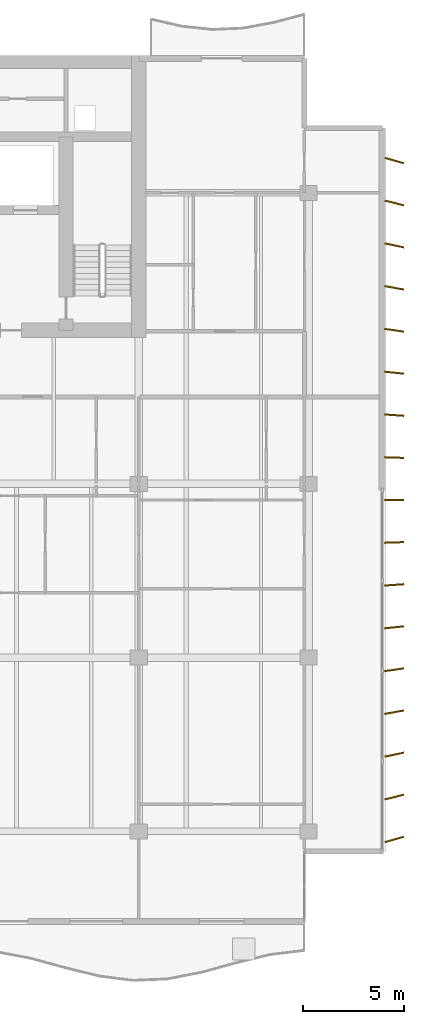
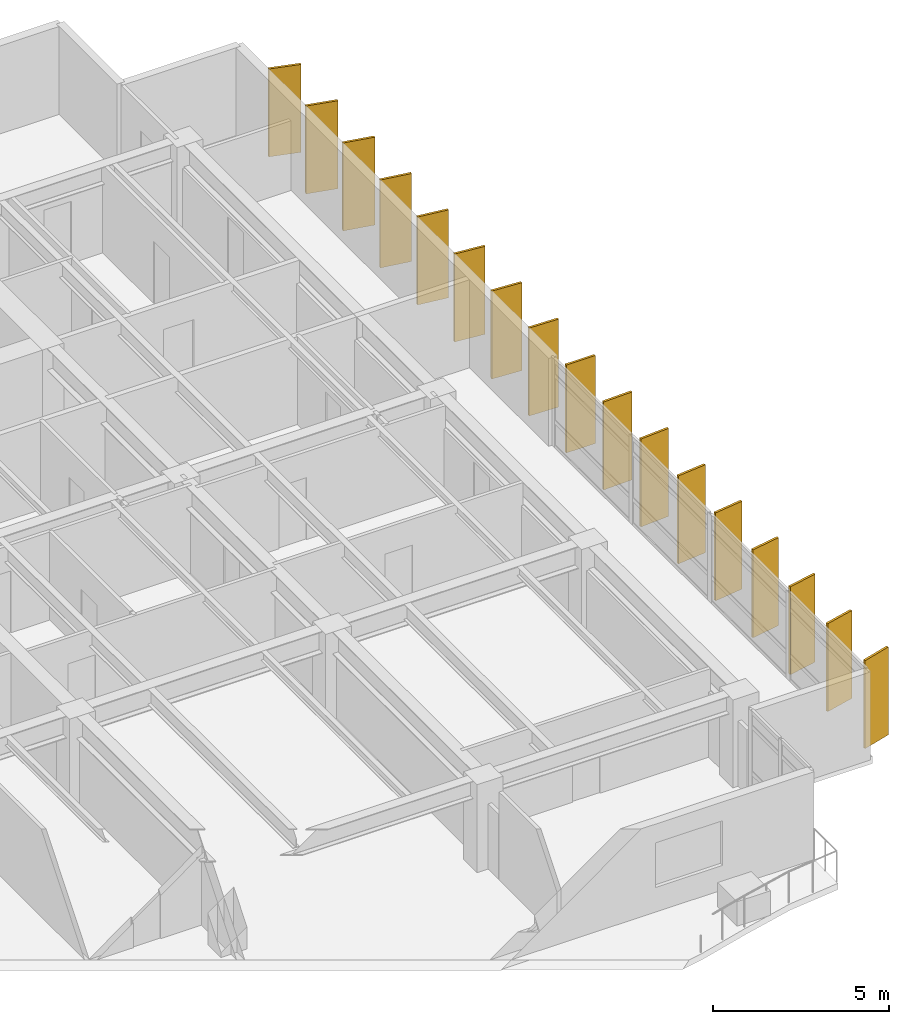
# One storey, part 19 of 19: 17 shading devices.
"""IFC4 building model written with IfcOpenShell, lengths in metres."""

from ifc_helpers import new_model, si_unit, direction, frame, origin, origin_2d, place, context, subcontext, project, spatial, rectangle, extrude, material, material_profile, profile_set, type_object, element, save


model = new_model("IFC4")

# Units and contexts
model_context = context("Model", 3, precision=1e-05, world=origin(), true_north=direction((0.0, 1.0)))
body_context = subcontext(model_context, "Body", "Model", "MODEL_VIEW")
ifc_project = project(units=[si_unit("LENGTHUNIT", "METRE"), si_unit("AREAUNIT", "SQUARE_METRE"), si_unit("VOLUMEUNIT", "CUBIC_METRE"), si_unit("PLANEANGLEUNIT", "RADIAN"), si_unit("MASSUNIT", "GRAM", prefix="KILO")], contexts=[model_context])

# Site, building, storey
site_placement = place(None, origin())
site = spatial("IfcSite", under=ifc_project, at=site_placement, CompositionType="ELEMENT")
building_placement = place(site_placement, origin())
building = spatial("IfcBuilding", under=site, at=building_placement, Name="Caelmar Bay Residences", CompositionType="ELEMENT")
storey_placement = place(building_placement, frame((0.0, 0.0, 167.10009765625)))
storey = spatial("IfcBuildingStorey", under=building, at=storey_placement, Name="L46", CompositionType="ELEMENT", Elevation=167.10009765625)

# Shading devices
ifc_material = material(Name="Anodised architectural bronze aluminium 6063-T6", Category="aluminium")
ifc_material_profile = material_profile(ifc_material, rectangle(XDim=0.074951171875, YDim=0.949951171875, at=origin_2d()), Name="BRONZE-FIN-75X950")
ifc_profile_set = profile_set([ifc_material_profile], Name="Anodised architectural bronze aluminium 6063-T6")
shading_device_type = type_object("IfcShadingDeviceType", Name="SHD-FIN-950", PredefinedType="USERDEFINED", material=ifc_profile_set)
for number, where, z_axis, x_axis, name in (
    (1, (72.14990234375, 11.800048828125, 0.0), (0.0, 0.0, 1.0), (-0.275637355817, 0.961261695938, 0.0), "L46 East Bronze Solar Fin 1"),
    (2, (72.14990234375, 13.89990234375, 0.0), (0.0, 0.0, 1.0), (-0.2419218956, 0.970295726276, 0.0), "L46 East Bronze Solar Fin 2"),
    (3, (72.14990234375, 16.0, 0.0), (0.0, 0.0, 1.0), (-0.207911690818, 0.978147600734, 0.0), "L46 East Bronze Solar Fin 3"),
    (4, (72.14990234375, 18.10009765625, 0.0), (0.0, 0.0, 1.0), (-0.173648177667, 0.984807753012, 0.0), "L46 East Bronze Solar Fin 4"),
    (5, (72.14990234375, 20.199951171875, 0.0), (0.0, 0.0, 1.0), (-0.13917310096, 0.990268068742, 0.0), "L46 East Bronze Solar Fin 5"),
    (6, (72.14990234375, 22.300048828125, 0.0), (0.0, 0.0, 1.0), (-0.104528463268, 0.994521895368, 0.0), "L46 East Bronze Solar Fin 6"),
    (7, (72.14990234375, 24.39990234375, 0.0), (0.0, 0.0, 1.0), (-0.069756473744, 0.99756405026, 0.0), "L46 East Bronze Solar Fin 7"),
    (8, (72.14990234375, 26.5, 0.0), (0.0, 0.0, 1.0), (-0.034899496703, 0.999390827019, 0.0), "L46 East Bronze Solar Fin 8"),
    (9, (72.14990234375, 28.60009765625, 0.0), (0.0, 0.0, 1.0), (0.0, 1.0, 0.0), "L46 East Bronze Solar Fin 9"),
    (10, (72.14990234375, 30.699951171875, 0.0), (0.0, 0.0, 1.0), (0.034899496703, 0.999390827019, 0.0), "L46 East Bronze Solar Fin 10"),
    (11, (72.14990234375, 32.800048828125, 0.0), (0.0, 0.0, 1.0), (0.069756473744, 0.99756405026, 0.0), "L46 East Bronze Solar Fin 11"),
    (12, (72.14990234375, 34.89990234375, 0.0), (0.0, 0.0, 1.0), (0.104528463268, 0.994521895368, 0.0), "L46 East Bronze Solar Fin 12"),
    (13, (72.14990234375, 37.0, 0.0), (0.0, 0.0, 1.0), (0.13917310096, 0.990268068742, 0.0), "L46 East Bronze Solar Fin 13"),
    (14, (72.14990234375, 39.10009765625, 0.0), (0.0, 0.0, 1.0), (0.173648177667, 0.984807753012, 0.0), "L46 East Bronze Solar Fin 14"),
    (15, (72.14990234375, 41.199951171875, 0.0), (0.0, 0.0, 1.0), (0.207911690818, 0.978147600734, 0.0), "L46 East Bronze Solar Fin 15"),
    (16, (72.14990234375, 43.300048828125, 0.0), (0.0, 0.0, 1.0), (0.2419218956, 0.970295726276, 0.0), "L46 East Bronze Solar Fin 16"),
    (17, (72.14990234375, 45.39990234375, 0.0), (0.0, 0.0, 1.0), (0.275637355817, 0.961261695938, 0.0), "L46 East Bronze Solar Fin 17"),
):
    element("IfcShadingDevice", number, at=place(storey_placement, frame(where, z_axis=z_axis, x_axis=x_axis)), inside=storey, type_object=shading_device_type, Name=name, ObjectType="FIN", PredefinedType="USERDEFINED", context=body_context, shape_type="SweptSolid", body=[
        extrude(rectangle(XDim=0.074951171875, YDim=0.949951171875, at=origin_2d()), origin(), (0.0, 0.0, 1.0), 3.0498046875),
    ])

save(model, "model.ifc")
